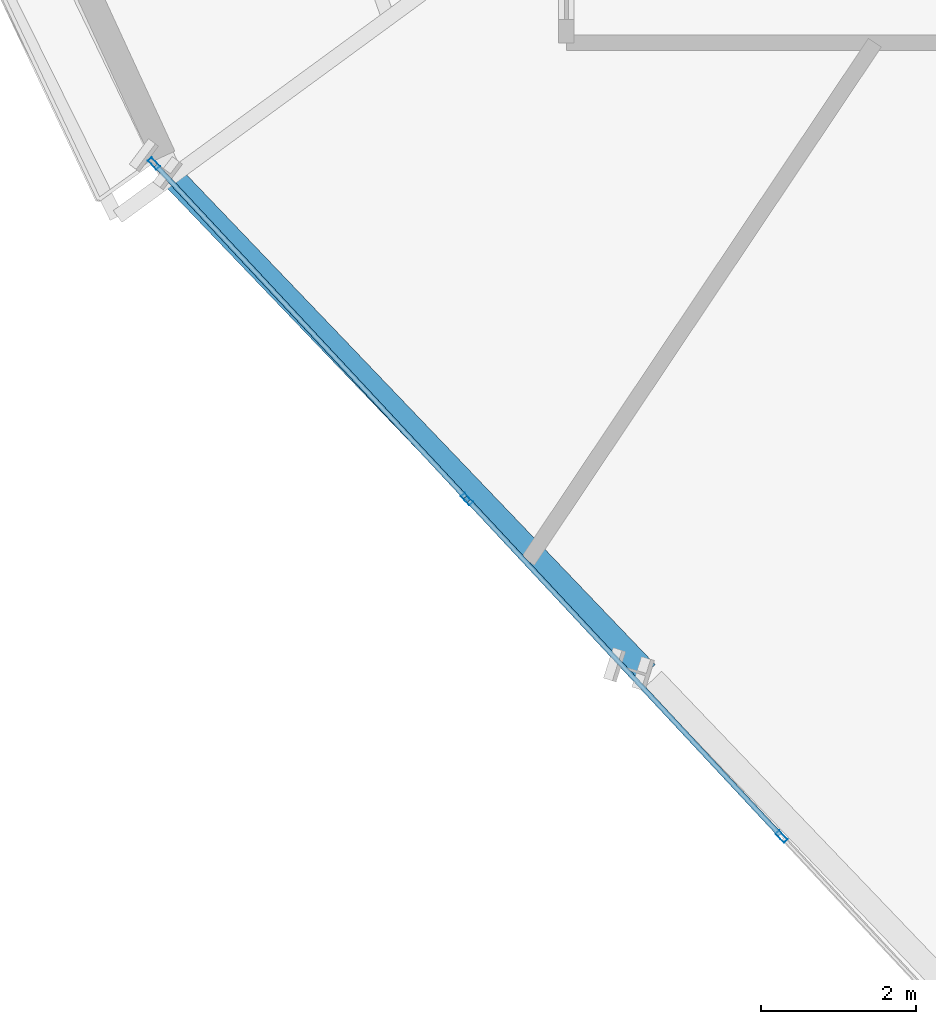
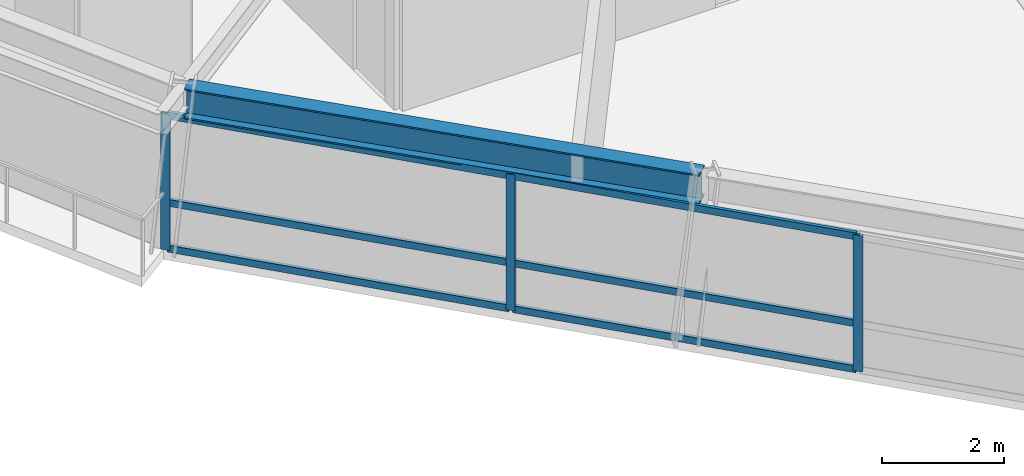
# One storey, part 2 of 14: 9 members, 1 beam, 1 element without a shape of its own.
"""IFC4 building model written with IfcOpenShell, lengths in metres."""

from ifc_helpers import new_model, si_unit, direction, frame, origin, origin_2d, place, context, subcontext, project, spatial, hollow_rectangle, i_section, extrude, source, transform, mapped, material, material_profile, profile_set, type_object, element, aggregate, save


model = new_model("IFC4")

# Units and contexts
model_context = context("Model", 3, precision=1e-05, world=origin(), true_north=direction((0.0, 1.0)))
body_context = subcontext(model_context, "Body", "Model", "MODEL_VIEW")
ifc_project = project(units=[si_unit("LENGTHUNIT", "METRE"), si_unit("AREAUNIT", "SQUARE_METRE"), si_unit("VOLUMEUNIT", "CUBIC_METRE"), si_unit("PLANEANGLEUNIT", "RADIAN"), si_unit("MASSUNIT", "GRAM", prefix="KILO")], contexts=[model_context])

# Site, building, storey
site_placement = place(None, origin())
site = spatial("IfcSite", under=ifc_project, at=site_placement, CompositionType="ELEMENT")
building_placement = place(site_placement, origin())
building = spatial("IfcBuilding", under=site, at=building_placement, Name="Olszyna Solenne Hotel", CompositionType="ELEMENT")
storey_placement = place(building_placement, frame((0.0, 0.0, 178.550048828125)))
storey = spatial("IfcBuildingStorey", under=building, at=storey_placement, Name="L47", CompositionType="ELEMENT", Elevation=178.550048828125)

# Beam
ifc_material_1 = material(Name="Steel S355J2", Category="steel")
ifc_material_profile_1 = material_profile(ifc_material_1, i_section(OverallWidth=0.300048828125, OverallDepth=0.60009765625, WebThickness=0.015380859375, FlangeThickness=0.030029296875, at=origin_2d()), Name="HEB 600", Category="load-bearing")
ifc_profile_set_1 = profile_set([ifc_material_profile_1], Name="Steel S355J2")
beam_type = type_object("IfcBeamType", Name="BM-S2", PredefinedType="BEAM", material=ifc_profile_set_1)
shared_shape_1 = source(origin(), body_context, "Body", "SweptSolid", [
    extrude(i_section(OverallWidth=0.300048828125, OverallDepth=0.60009765625, WebThickness=0.015380859375, FlangeThickness=0.030029296875, at=origin_2d()), origin(), (0.0, 0.0, 1.0), 8.78857421875),
])
beam_placement = place(storey_placement, frame((22.560791015625, 15.235107421875, 3.030029296875), z_axis=(0.691365175007, -0.722505498102, 0.0), x_axis=(0.722505498102, 0.691365175007, 0.0)))
element("IfcBeam", 1, at=beam_placement, inside=storey, type_object=beam_type, Name="Perimeter spandrel beam BM-S2 B-L47-1398", PredefinedType="BEAM", context=body_context, shape_type="MappedRepresentation", body=[
    mapped(shared_shape_1, transform((0.0, 0.0, 0.0), x_axis=(1.0, 0.0, 0.0), y_axis=(0.0, 1.0, 0.0), z_axis=(0.0, 0.0, 1.0), scale=1.0)),
])

# Curtain wall, members
ifc_material_2 = material(Name="Anodised bronze aluminium", Category="aluminium")
curtain_wall_type = type_object("IfcCurtainWallType", Name="CW-SYS-4", PredefinedType="NOTDEFINED", material=ifc_material_2)
curtain_wall_placement = place(storey_placement, origin())
curtain_wall = element("IfcCurtainWall", 2, at=curtain_wall_placement, inside=storey, type_object=curtain_wall_type, Name="Unitised curtain wall CW-SYS-4 CW-L47-01", PredefinedType="NOTDEFINED")
ifc_material_profile_2 = material_profile(ifc_material_2, hollow_rectangle(XDim=0.06494140625, YDim=0.159912109375, WallThickness=0.00390625, at=origin_2d()), Name="MULL 160x65x4", Category="load-bearing")
ifc_profile_set_2 = profile_set([ifc_material_profile_2], Name="Anodised bronze aluminium")
member_type_1 = type_object("IfcMemberType", Name="CW-M3", PredefinedType="MULLION", material=ifc_profile_set_2)
shared_shape_2 = source(origin(), body_context, "Body", "SweptSolid", [
    extrude(hollow_rectangle(XDim=0.06494140625, YDim=0.159912109375, WallThickness=0.00390625, at=origin_2d()), origin(), (0.0, 0.0, 1.0), 2.721923828125),
])
member_1_placement = place(storey_placement, frame((22.287841796875, 15.44580078125, 0.0), z_axis=(0.0, 0.0, 1.0), x_axis=(0.731446318966, 0.681899026595, 0.0)))
member_1 = element("IfcMember", 3, at=member_1_placement, type_object=member_type_1, Name="Curtain-wall mullion CW-M3 CM-L47-01-01", PredefinedType="MULLION", context=body_context, shape_type="MappedRepresentation", body=[
    mapped(shared_shape_2, transform((0.0, 0.0, 0.0), x_axis=(1.0, 0.0, 0.0), y_axis=(0.0, 1.0, 0.0), z_axis=(0.0, 0.0, 1.0), scale=1.0)),
])
member_2_placement = place(storey_placement, frame((26.31982421875, 11.120849609375, 0.0), z_axis=(0.0, 0.0, 1.0), x_axis=(0.731446318966, 0.681899026595, 0.0)))
member_2 = element("IfcMember", 4, at=member_2_placement, type_object=member_type_1, Name="Curtain-wall mullion CW-M3 CM-L47-01-02", PredefinedType="MULLION", context=body_context, shape_type="MappedRepresentation", body=[
    mapped(shared_shape_2, transform((0.0, 0.0, 0.0), x_axis=(1.0, 0.0, 0.0), y_axis=(0.0, 1.0, 0.0), z_axis=(0.0, 0.0, 1.0), scale=1.0)),
])
member_3_placement = place(storey_placement, frame((30.373779296875, 6.7724609375, 0.0), z_axis=(0.0, 0.0, 1.0), x_axis=(0.731446318966, 0.681899026595, 0.0)))
member_3 = element("IfcMember", 5, at=member_3_placement, type_object=member_type_1, Name="Curtain-wall mullion CW-M3 CM-L47-01-03", PredefinedType="MULLION", context=body_context, shape_type="MappedRepresentation", body=[
    mapped(shared_shape_2, transform((0.0, 0.0, 0.0), x_axis=(1.0, 0.0, 0.0), y_axis=(0.0, 1.0, 0.0), z_axis=(0.0, 0.0, 1.0), scale=1.0)),
])
ifc_material_profile_3 = material_profile(ifc_material_2, hollow_rectangle(XDim=0.06494140625, YDim=0.139892578125, WallThickness=0.00390625, at=origin_2d()), Name="TRAN 140x65x4", Category="load-bearing")
ifc_profile_set_3 = profile_set([ifc_material_profile_3], Name="Anodised bronze aluminium")
member_type_2 = type_object("IfcMemberType", Name="CW-T2", PredefinedType="USERDEFINED", material=ifc_profile_set_3)
shared_shape_3 = source(origin(), body_context, "Body", "SweptSolid", [
    extrude(hollow_rectangle(XDim=0.06494140625, YDim=0.139892578125, WallThickness=0.00390625, at=origin_2d()), origin(), (0.0, 0.0, 1.0), 5.84765625),
])
member_4_placement = place(storey_placement, frame((22.31005859375, 15.421875, 0.032470703125), z_axis=(0.681915018822, -0.731431409707, 0.0), x_axis=(0.731431409707, 0.681915018822, 0.0)))
member_4 = element("IfcMember", 6, at=member_4_placement, type_object=member_type_2, Name="Curtain-wall transom CW-T2 CT-L47-01-01", ObjectType="TRANSOM", PredefinedType="USERDEFINED", context=body_context, shape_type="MappedRepresentation", body=[
    mapped(shared_shape_3, transform((0.0, 0.0, 0.0), x_axis=(1.0, 0.0, 0.0), y_axis=(0.0, 1.0, 0.0), z_axis=(0.0, 0.0, 1.0), scale=1.0)),
])
member_5_placement = place(storey_placement, frame((22.31005859375, 15.421875, 0.949951171875), z_axis=(0.681915018822, -0.731431409707, 0.0), x_axis=(0.731431409707, 0.681915018822, 0.0)))
member_5 = element("IfcMember", 7, at=member_5_placement, type_object=member_type_2, Name="Curtain-wall transom CW-T2 CT-L47-01-02", ObjectType="TRANSOM", PredefinedType="USERDEFINED", context=body_context, shape_type="MappedRepresentation", body=[
    mapped(shared_shape_3, transform((0.0, 0.0, 0.0), x_axis=(1.0, 0.0, 0.0), y_axis=(0.0, 1.0, 0.0), z_axis=(0.0, 0.0, 1.0), scale=1.0)),
])
member_6_placement = place(storey_placement, frame((22.31005859375, 15.421875, 2.689453125), z_axis=(0.681915018822, -0.731431409707, 0.0), x_axis=(0.731431409707, 0.681915018822, 0.0)))
member_6 = element("IfcMember", 8, at=member_6_placement, type_object=member_type_2, Name="Curtain-wall transom CW-T2 CT-L47-01-03", ObjectType="TRANSOM", PredefinedType="USERDEFINED", context=body_context, shape_type="MappedRepresentation", body=[
    mapped(shared_shape_3, transform((0.0, 0.0, 0.0), x_axis=(1.0, 0.0, 0.0), y_axis=(0.0, 1.0, 0.0), z_axis=(0.0, 0.0, 1.0), scale=1.0)),
])
shared_shape_4 = source(origin(), body_context, "Body", "SweptSolid", [
    extrude(hollow_rectangle(XDim=0.06494140625, YDim=0.139892578125, WallThickness=0.00390625, at=origin_2d()), origin(), (0.0, 0.0, 1.0), 5.880126953125),
])
member_7_placement = place(storey_placement, frame((26.342041015625, 11.09716796875, 0.032470703125), z_axis=(0.681884684204, -0.731459689558, 0.0), x_axis=(0.731459689558, 0.681884684204, 0.0)))
member_7 = element("IfcMember", 9, at=member_7_placement, type_object=member_type_2, Name="Curtain-wall transom CW-T2 CT-L47-01-04", ObjectType="TRANSOM", PredefinedType="USERDEFINED", context=body_context, shape_type="MappedRepresentation", body=[
    mapped(shared_shape_4, transform((0.0, 0.0, 0.0), x_axis=(1.0, 0.0, 0.0), y_axis=(0.0, 1.0, 0.0), z_axis=(0.0, 0.0, 1.0), scale=1.0)),
])
member_8_placement = place(storey_placement, frame((26.342041015625, 11.09716796875, 0.949951171875), z_axis=(0.681884684204, -0.731459689558, 0.0), x_axis=(0.731459689558, 0.681884684204, 0.0)))
member_8 = element("IfcMember", 10, at=member_8_placement, type_object=member_type_2, Name="Curtain-wall transom CW-T2 CT-L47-01-05", ObjectType="TRANSOM", PredefinedType="USERDEFINED", context=body_context, shape_type="MappedRepresentation", body=[
    mapped(shared_shape_4, transform((0.0, 0.0, 0.0), x_axis=(1.0, 0.0, 0.0), y_axis=(0.0, 1.0, 0.0), z_axis=(0.0, 0.0, 1.0), scale=1.0)),
])
member_9_placement = place(storey_placement, frame((26.342041015625, 11.09716796875, 2.689453125), z_axis=(0.681884684204, -0.731459689558, 0.0), x_axis=(0.731459689558, 0.681884684204, 0.0)))
member_9 = element("IfcMember", 11, at=member_9_placement, type_object=member_type_2, Name="Curtain-wall transom CW-T2 CT-L47-01-06", ObjectType="TRANSOM", PredefinedType="USERDEFINED", context=body_context, shape_type="MappedRepresentation", body=[
    mapped(shared_shape_4, transform((0.0, 0.0, 0.0), x_axis=(1.0, 0.0, 0.0), y_axis=(0.0, 1.0, 0.0), z_axis=(0.0, 0.0, 1.0), scale=1.0)),
])
aggregate(curtain_wall, [member_1, member_2, member_3, member_4, member_5, member_6, member_7, member_8, member_9])

save(model, "model.ifc")
